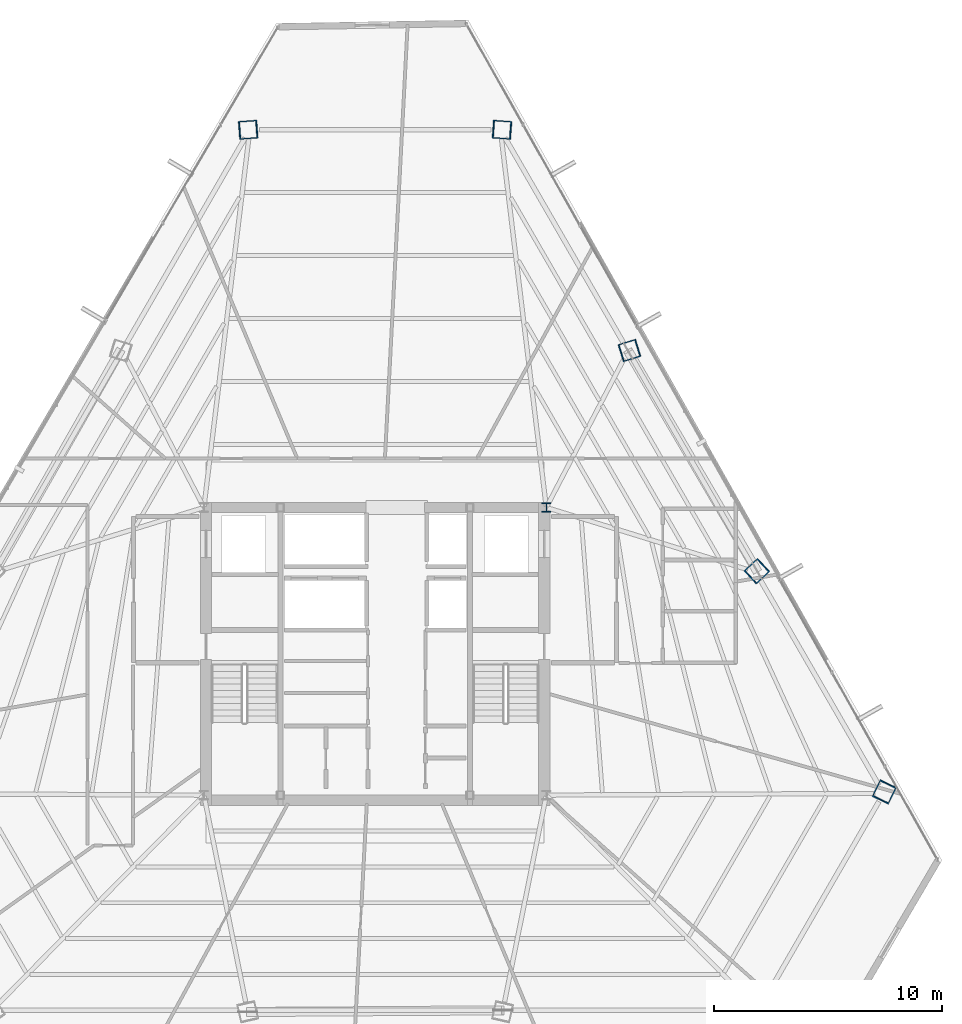
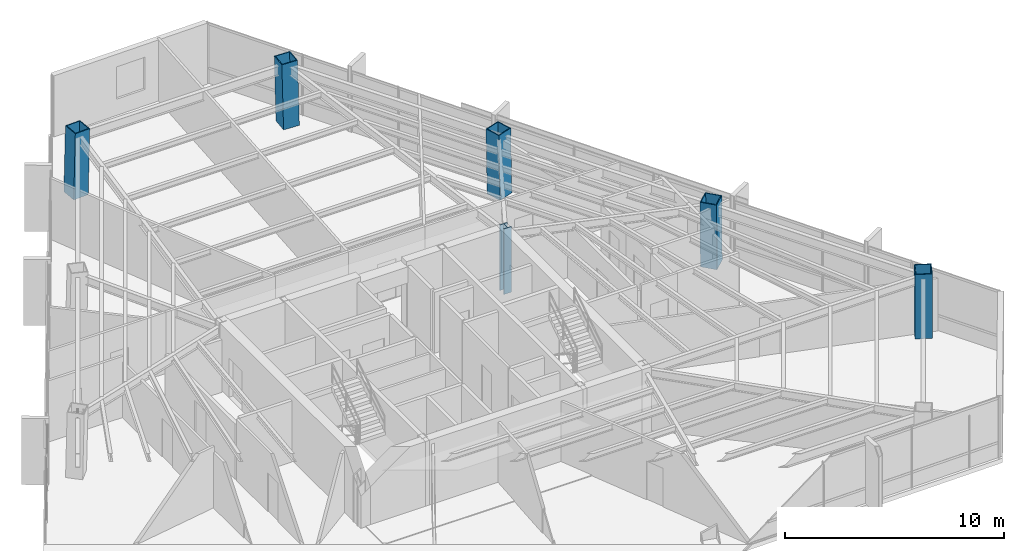
# One storey, part 2 of 42: 6 columns.
"""IFC4 building model written with IfcOpenShell, lengths in metres."""

from ifc_helpers import new_model, si_unit, direction, frame, origin, origin_2d, place, context, subcontext, project, spatial, hollow_rectangle, i_section, extrude, source, transform, mapped, material, material_profile, profile_set, type_object, type_shapes, element, save


model = new_model("IFC4")

# Units and contexts
model_context = context("Model", 3, precision=1e-05, world=origin(), true_north=direction((0.0, 1.0)))
body_context = subcontext(model_context, "Body", "Model", "MODEL_VIEW")
ifc_project = project(units=[si_unit("LENGTHUNIT", "METRE"), si_unit("AREAUNIT", "SQUARE_METRE"), si_unit("VOLUMEUNIT", "CUBIC_METRE"), si_unit("PLANEANGLEUNIT", "RADIAN"), si_unit("MASSUNIT", "GRAM", prefix="KILO")], contexts=[model_context])

# Site, building, storey
site_placement = place(None, origin())
site = spatial("IfcSite", under=ifc_project, at=site_placement, CompositionType="ELEMENT")
building_placement = place(site_placement, origin())
building = spatial("IfcBuilding", under=site, at=building_placement, Name="Caelisora Broadcast Tower", CompositionType="ELEMENT")
storey_placement = place(building_placement, frame((0.0, 0.0, 184.050048828125)))
storey = spatial("IfcBuildingStorey", under=building, at=storey_placement, Name="L48", CompositionType="ELEMENT", Elevation=184.050048828125)

# Columns
ifc_material_1 = material(Name="Steel Grade 350 (AS/NZS 3679.2)", Category="steel")
ifc_material_profile_1 = material_profile(ifc_material_1, i_section(OverallWidth=0.39990234375, OverallDepth=0.39990234375, WebThickness=0.02001953125, FlangeThickness=0.031982421875, at=origin_2d()), Name="Steel Grade 350 (AS/NZS 3679.2)")
ifc_profile_set_1 = profile_set([ifc_material_profile_1], Name="Steel Grade 350 (AS/NZS 3679.2)")
column_type_1 = type_object("IfcColumnType", Name="CC02", PredefinedType="COLUMN", material=ifc_profile_set_1)
shared_shape_1 = source(origin(), body_context, "Body", "SweptSolid", [
    extrude(i_section(OverallWidth=0.39990234375, OverallDepth=0.39990234375, WebThickness=0.02001953125, FlangeThickness=0.031982421875, at=origin_2d()), origin(), (0.0, 0.0, 1.0), 3.64990234375),
])
type_shapes(column_type_1, [shared_shape_1])
column_placement = place(storey_placement, frame((45.5, 30.0, 0.0), z_axis=(0.0, 0.0, 1.0), x_axis=(1.0, 0.0, 0.0)))
element("IfcColumn", 1, at=column_placement, inside=storey, type_object=column_type_1, Name="L48 column CC02", PredefinedType="COLUMN", context=body_context, shape_type="MappedRepresentation", body=[
    mapped(shared_shape_1, transform((0.0, 0.0, 0.0), scale=1.0)),
])
ifc_material_2 = material(Name="Steel Grade 350 L15 (AS/NZS 3678)", Category="steel")
ifc_material_profile_2 = material_profile(ifc_material_2, hollow_rectangle(XDim=0.800048828125, YDim=0.800048828125, WallThickness=0.044921875, at=origin_2d()), Name="Steel Grade 350 L15 (AS/NZS 3678)")
ifc_profile_set_2 = profile_set([ifc_material_profile_2], Name="Steel Grade 350 L15 (AS/NZS 3678)")
column_type_2 = type_object("IfcColumnType", Name="MC05", PredefinedType="COLUMN", material=ifc_profile_set_2)
shared_shape_2 = source(origin(), body_context, "Body", "SweptSolid", [
    extrude(hollow_rectangle(XDim=0.800048828125, YDim=0.800048828125, WallThickness=0.044921875, at=origin_2d()), origin(), (0.0, 0.0, 1.0), 3.65087890625),
])
for number, where, z_axis, x_axis, name in (
    (2, (43.57421875, 46.54736328125, 0.0), (-0.023872756997, 0.001738632162, 0.999713493273), (-0.07263675076, -0.997358462359, 0.0), "L48 column MC05"),
    (3, (32.42578125, 46.54736328125, 0.0), (0.023872756997, 0.001738632162, 0.999713493273), (-0.07263675076, 0.997358462359, 0.0), "L48 column MC05"),
    (4, (60.313720703125, 17.5537109375, 0.0), (-0.010431795422, -0.021532295679, 0.999713727968), (0.899947055326, -0.435999194506, 0.0), "L48 column MC05"),
):
    element("IfcColumn", number, at=place(storey_placement, frame(where, z_axis=z_axis, x_axis=x_axis)), inside=storey, type_object=column_type_2, Name=name, PredefinedType="COLUMN", context=body_context, shape_type="MappedRepresentation", body=[
        mapped(shared_shape_2, transform((0.0, 0.0, 0.0), scale=1.0)),
    ])
shared_shape_3 = source(origin(), body_context, "Body", "SweptSolid", [
    extrude(hollow_rectangle(XDim=0.800048828125, YDim=0.800048828125, WallThickness=0.044921875, at=origin_2d()), origin(), (0.0, 0.0, 1.0), 3.650634765625),
])
type_shapes(column_type_2, [shared_shape_2, shared_shape_3])
for number, where, z_axis, x_axis, name in (
    (5, (54.73388671875, 27.21826171875, 0.0), (-0.014913313399, -0.013776424037, 0.999793880369), (0.678553674548, -0.734550822447, 0.0), "L48 column MC05"),
    (6, (49.154052734375, 36.8828125, 0.0), (-0.019393993486, -0.006018825565, 0.999793802119), (0.296399214872, -0.955064136811, 0.0), "L48 column MC05"),
):
    element("IfcColumn", number, at=place(storey_placement, frame(where, z_axis=z_axis, x_axis=x_axis)), inside=storey, type_object=column_type_2, Name=name, PredefinedType="COLUMN", context=body_context, shape_type="MappedRepresentation", body=[
        mapped(shared_shape_3, transform((0.0, 0.0, 0.0), scale=1.0)),
    ])

save(model, "model.ifc")
